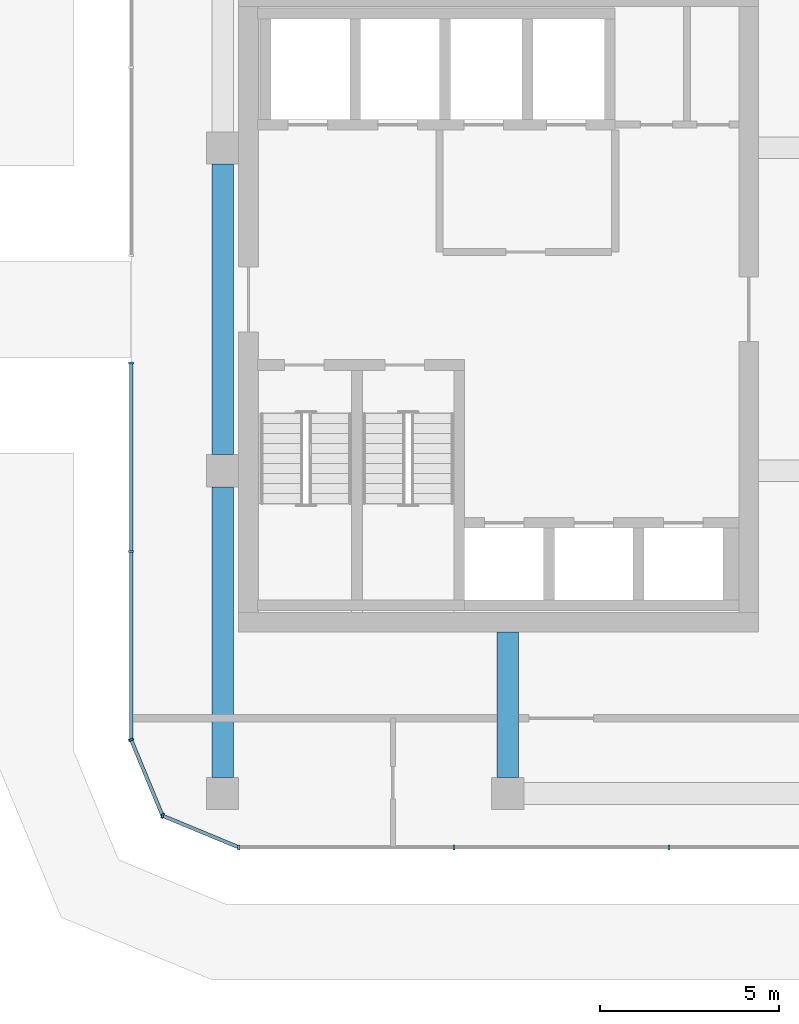
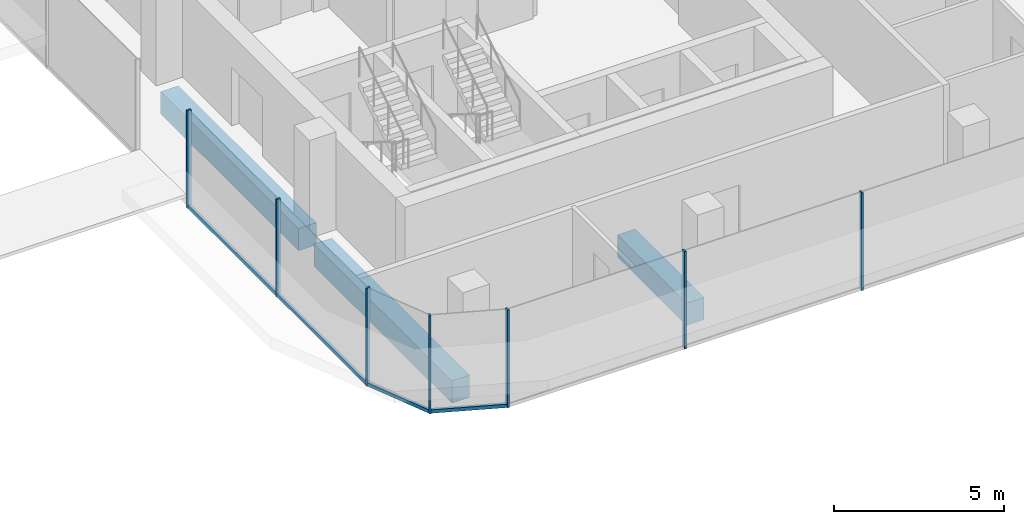
# One storey, part 7 of 24: 10 members, 3 beams, 4 elements without a shape of their own.
"""IFC4 building model written with IfcOpenShell, lengths in metres."""

from ifc_helpers import new_model, si_unit, direction, frame, origin, origin_2d, place, context, subcontext, project, spatial, rectangle, extrude, material, layer, layer_set, material_profile, profile_set, type_object, element, aggregate, save


model = new_model("IFC4")

# Units and contexts
model_context = context("Model", 3, precision=1e-05, world=origin(), true_north=direction((0.0, 1.0)))
body_context = subcontext(model_context, "Body", "Model", "MODEL_VIEW")
ifc_project = project(units=[si_unit("LENGTHUNIT", "METRE"), si_unit("AREAUNIT", "SQUARE_METRE"), si_unit("VOLUMEUNIT", "CUBIC_METRE"), si_unit("PLANEANGLEUNIT", "RADIAN"), si_unit("MASSUNIT", "GRAM", prefix="KILO")], contexts=[model_context])

# Site, building, storey
site_placement = place(None, origin())
site = spatial("IfcSite", under=ifc_project, at=site_placement, CompositionType="ELEMENT")
building_placement = place(site_placement, origin())
building = spatial("IfcBuilding", under=site, at=building_placement, Name="Plateau Cross Towers", CompositionType="ELEMENT")
storey_placement = place(building_placement, frame((0.0, 0.0, 30.300048828125)))
storey = spatial("IfcBuildingStorey", under=building, at=storey_placement, Name="L06", CompositionType="ELEMENT", Elevation=30.300048828125)

# Beam
ifc_material_1 = material(Name="Concrete C60/75", Category="concrete")
ifc_material_profile_1 = material_profile(ifc_material_1, rectangle(XDim=0.60009765625, YDim=0.800048828125, at=origin_2d()), Name="RC 600x800")
ifc_profile_set_1 = profile_set([ifc_material_profile_1], Name="Concrete C60/75")
beam_type_1 = type_object("IfcBeamType", Name="Core beam RC 600x800", PredefinedType="BEAM", material=ifc_profile_set_1)
beam_placement = place(storey_placement, frame((82.5, 0.0, -0.650146484375), z_axis=(0.0, -1.0, 0.0), x_axis=(1.0, 0.0, 0.0)))
element("IfcBeam", 1, at=beam_placement, inside=storey, type_object=beam_type_1, Name="B-CB01@L06", PredefinedType="BEAM", context=body_context, shape_type="SweptSolid", body=[
    extrude(rectangle(XDim=0.60009765625, YDim=0.800048828125, at=origin_2d()), origin(), (0.0, 0.0, 1.0), 4.050048828125),
])

# Curtain wall, members
ifc_material_2 = material(Name="Dark low-iron glass", Category="glass")
ifc_layer = layer(ifc_material_2, 0.239990234375)
ifc_layer_set = layer_set([ifc_layer], Name="Dark low-iron glass")
curtain_wall_type = type_object("IfcCurtainWallType", Name="Curtain wall office unitised CW-F", PredefinedType="NOTDEFINED", material=ifc_layer_set)
curtain_wall_1_placement = place(storey_placement, origin())
curtain_wall_1 = element("IfcCurtainWall", 2, at=curtain_wall_1_placement, inside=storey, type_object=curtain_wall_type, Name="ENV/B/L06/B750_-60", PredefinedType="NOTDEFINED")
ifc_material_3 = material(Name="Black anodised aluminium", Category="aluminium")
ifc_material_profile_2 = material_profile(ifc_material_3, rectangle(XDim=0.06005859375, YDim=0.139892578125, at=origin_2d()), Name="MULLION 60x140")
ifc_profile_set_2 = profile_set([ifc_material_profile_2], Name="Black anodised aluminium")
member_type_1 = type_object("IfcMemberType", Name="Mullion 60x140 office unitised", PredefinedType="MULLION", material=ifc_profile_set_2)
member_1_placement = place(storey_placement, frame((75.0, -6.0, -0.25), z_axis=(0.0, 0.0, 1.0), x_axis=(1.0, 0.0, 0.0)))
member_1 = element("IfcMember", 3, at=member_1_placement, type_object=member_type_1, Name="CW-F mullion 1", PredefinedType="MULLION", context=body_context, shape_type="SweptSolid", body=[
    extrude(rectangle(XDim=0.06005859375, YDim=0.139892578125, at=origin_2d()), origin(), (0.0, 0.0, 1.0), 3.5),
])
member_2_placement = place(storey_placement, frame((81.0, -6.0, -0.25), z_axis=(0.0, 0.0, 1.0), x_axis=(1.0, 0.0, 0.0)))
member_2 = element("IfcMember", 4, at=member_2_placement, type_object=member_type_1, Name="CW-F mullion 2", PredefinedType="MULLION", context=body_context, shape_type="SweptSolid", body=[
    extrude(rectangle(XDim=0.06005859375, YDim=0.139892578125, at=origin_2d()), origin(), (0.0, 0.0, 1.0), 3.5),
])
member_3_placement = place(storey_placement, frame((87.0, -6.0, -0.25), z_axis=(0.0, 0.0, 1.0), x_axis=(1.0, 0.0, 0.0)))
member_3 = element("IfcMember", 5, at=member_3_placement, type_object=member_type_1, Name="CW-F mullion 3", PredefinedType="MULLION", context=body_context, shape_type="SweptSolid", body=[
    extrude(rectangle(XDim=0.06005859375, YDim=0.139892578125, at=origin_2d()), origin(), (0.0, 0.0, 1.0), 3.5),
])
aggregate(curtain_wall_1, [member_1, member_2, member_3])

curtain_wall_2_placement = place(storey_placement, origin())
curtain_wall_2 = element("IfcCurtainWall", 6, at=curtain_wall_2_placement, inside=storey, type_object=curtain_wall_type, Name="ENV/B/L06/B720_75", PredefinedType="NOTDEFINED")
member_4_placement = place(storey_placement, frame((72.0, 7.5, -0.25), z_axis=(0.0, 0.0, 1.0), x_axis=(0.0, -1.0, 0.0)))
member_4 = element("IfcMember", 7, at=member_4_placement, type_object=member_type_1, Name="CW-F mullion 1", PredefinedType="MULLION", context=body_context, shape_type="SweptSolid", body=[
    extrude(rectangle(XDim=0.06005859375, YDim=0.139892578125, at=origin_2d()), origin(), (0.0, 0.0, 1.0), 3.5),
])
member_5_placement = place(storey_placement, frame((72.0, 2.25, -0.25), z_axis=(0.0, 0.0, 1.0), x_axis=(0.0, -1.0, 0.0)))
member_5 = element("IfcMember", 8, at=member_5_placement, type_object=member_type_1, Name="CW-F mullion 2", PredefinedType="MULLION", context=body_context, shape_type="SweptSolid", body=[
    extrude(rectangle(XDim=0.06005859375, YDim=0.139892578125, at=origin_2d()), origin(), (0.0, 0.0, 1.0), 3.5),
])

# Curtain wall, member
curtain_wall_3_placement = place(storey_placement, origin())
curtain_wall_3 = element("IfcCurtainWall", 9, at=curtain_wall_3_placement, inside=storey, type_object=curtain_wall_type, Name="ENV/B/L06/B720_-30", PredefinedType="NOTDEFINED")
member_6_placement = place(storey_placement, frame((72.0, -3.0, -0.25), z_axis=(0.0, 0.0, 1.0), x_axis=(0.382683612978, -0.923879457699, 0.0)))
member_6 = element("IfcMember", 10, at=member_6_placement, type_object=member_type_1, Name="CW-F mullion 1", PredefinedType="MULLION", context=body_context, shape_type="SweptSolid", body=[
    extrude(rectangle(XDim=0.06005859375, YDim=0.139892578125, at=origin_2d()), origin(), (0.0, 0.0, 1.0), 3.5),
])

curtain_wall_4_placement = place(storey_placement, origin())
curtain_wall_4 = element("IfcCurtainWall", 11, at=curtain_wall_4_placement, inside=storey, type_object=curtain_wall_type, Name="ENV/B/L06/B729_-51", PredefinedType="NOTDEFINED")
member_7_placement = place(storey_placement, frame((72.878662109375, -5.121337890625, -0.25), z_axis=(0.0, 0.0, 1.0), x_axis=(0.923879457699, -0.382683612978, 0.0)))
member_7 = element("IfcMember", 12, at=member_7_placement, type_object=member_type_1, Name="CW-F mullion 1", PredefinedType="MULLION", context=body_context, shape_type="SweptSolid", body=[
    extrude(rectangle(XDim=0.06005859375, YDim=0.139892578125, at=origin_2d()), origin(), (0.0, 0.0, 1.0), 3.5),
])

# Beams
ifc_material_profile_3 = material_profile(ifc_material_1, rectangle(XDim=0.60009765625, YDim=0.800048828125, at=origin_2d()), Name="RC 600x800")
ifc_profile_set_3 = profile_set([ifc_material_profile_3], Name="Concrete C60/75")
beam_type_2 = type_object("IfcBeamType", Name="Ring beam RC 600x800", PredefinedType="BEAM", material=ifc_profile_set_3)
for number, where, z_axis, x_axis, name in (
    (13, (74.550048828125, 13.050048828125, -0.650146484375), (0.0, -1.0, 0.0), (1.0, 0.0, 0.0), "B-RB09@L06"),
    (14, (74.550048828125, 4.050048828125, -0.650146484375), (0.0, -1.0, 0.0), (1.0, 0.0, 0.0), "B-RB10@L06"),
):
    element("IfcBeam", number, at=place(storey_placement, frame(where, z_axis=z_axis, x_axis=x_axis)), inside=storey, type_object=beam_type_2, Name=name, PredefinedType="BEAM", context=body_context, shape_type="SweptSolid", body=[
        extrude(rectangle(XDim=0.60009765625, YDim=0.800048828125, at=origin_2d()), origin(), (0.0, 0.0, 1.0), 8.10009765625),
    ])

# Member
ifc_material_profile_4 = material_profile(ifc_material_3, rectangle(XDim=0.10009765625, YDim=0.1201171875, at=origin_2d()), Name="TRANSOM 100x120")
ifc_profile_set_4 = profile_set([ifc_material_profile_4], Name="Black anodised aluminium")
member_type_2 = type_object("IfcMemberType", Name="Transom 100x120 office unitised", PredefinedType="USERDEFINED", material=ifc_profile_set_4)
member_8_placement = place(storey_placement, frame((72.0, 7.5, -0.18994140625), z_axis=(0.0, -1.0, 0.0), x_axis=(1.0, 0.0, 0.0)))
member_8 = element("IfcMember", 15, at=member_8_placement, type_object=member_type_2, Name="CW-F transom", ObjectType="TRANSOM", PredefinedType="USERDEFINED", context=body_context, shape_type="SweptSolid", body=[
    extrude(rectangle(XDim=0.10009765625, YDim=0.1201171875, at=origin_2d()), origin(), (0.0, 0.0, 1.0), 10.5),
])

aggregate(curtain_wall_2, [member_4, member_5, member_8])

member_9_placement = place(storey_placement, frame((72.0, -3.0, -0.18994140625), z_axis=(0.382674207535, -0.923883353507, 0.0), x_axis=(0.923883353507, 0.382674207535, 0.0)))
member_9 = element("IfcMember", 16, at=member_9_placement, type_object=member_type_2, Name="CW-F transom", ObjectType="TRANSOM", PredefinedType="USERDEFINED", context=body_context, shape_type="SweptSolid", body=[
    extrude(rectangle(XDim=0.10009765625, YDim=0.1201171875, at=origin_2d()), origin(), (0.0, 0.0, 1.0), 2.296142578125),
])

aggregate(curtain_wall_3, [member_6, member_9])

member_10_placement = place(storey_placement, frame((72.878662109375, -5.121337890625, -0.18994140625), z_axis=(0.923883353507, -0.382674207535, 0.0), x_axis=(0.382674207535, 0.923883353507, 0.0)))
member_10 = element("IfcMember", 17, at=member_10_placement, type_object=member_type_2, Name="CW-F transom", ObjectType="TRANSOM", PredefinedType="USERDEFINED", context=body_context, shape_type="SweptSolid", body=[
    extrude(rectangle(XDim=0.10009765625, YDim=0.1201171875, at=origin_2d()), origin(), (0.0, 0.0, 1.0), 2.296142578125),
])

aggregate(curtain_wall_4, [member_7, member_10])

save(model, "model.ifc")
